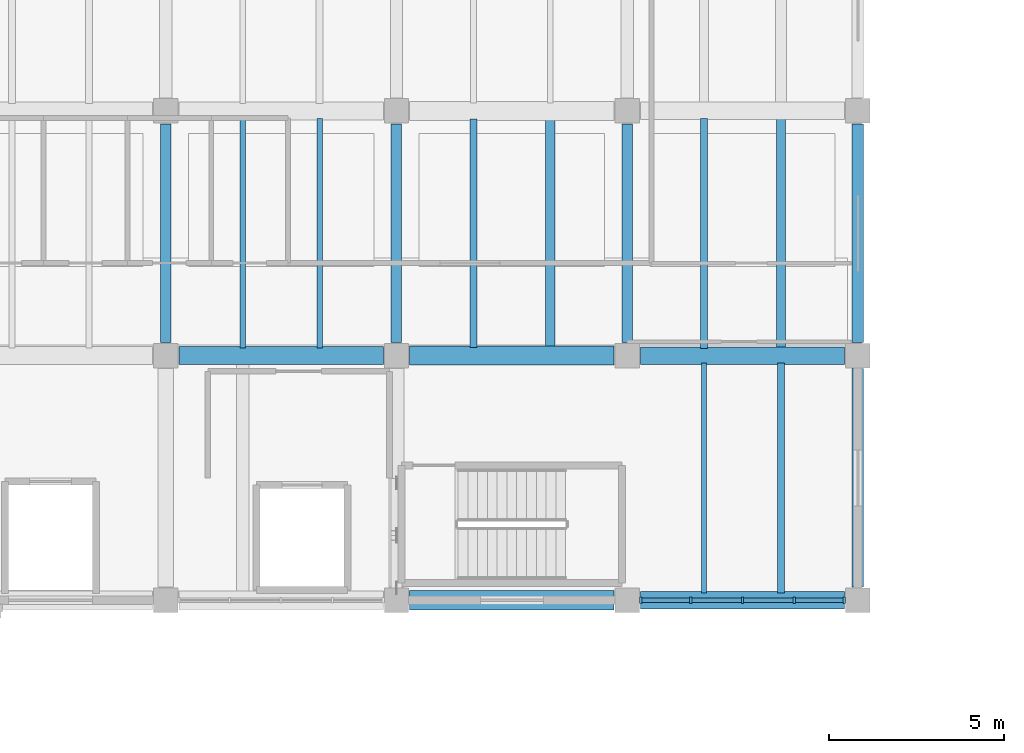
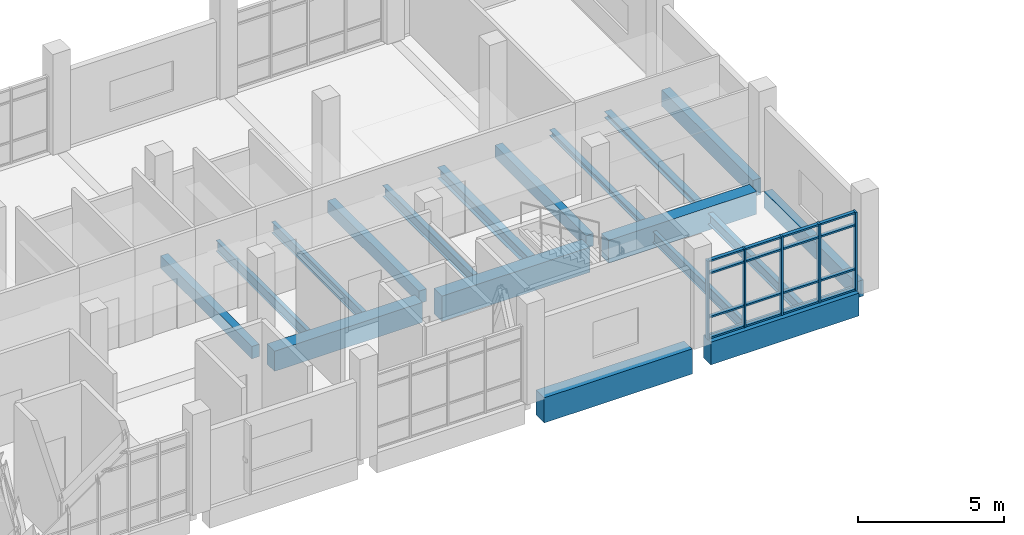
# One storey, part 5 of 20: 21 members, 18 beams, 1 element without a shape of its own.
"""IFC4 building model written with IfcOpenShell, lengths in metres."""

import ifcopenshell
import ifcopenshell.guid

model = None  # the IFC model being written
_history = None  # IfcOwnerHistory: only IFC2X3 demands one
_inside = {}  # id of a spatial element -> (the spatial element, [elements in it])
_under = {}  # id of a project, library or spatial element -> (it, [spatial elements below it])
_declared = {}  # id of a project -> (the project, [libraries it declares])
_typed = {}  # id of a type object -> (the type object, [elements of that type])
_made_of = {}  # id of a material, layer set ... -> (it, [elements and type objects made of it])


def new_model(schema):
    """Start an empty IFC model of exactly this schema.

    Asked for "IFC4X3", IfcOpenShell would pick the latest addendum, in which some entities
    have other attributes; the version numbers below select the first issue.
    IFC2X3 requires an IfcOwnerHistory on every rooted entity: one is made here for all.
    """
    global model, _history
    if schema == "IFC4X3":
        model = ifcopenshell.file(schema_version=(4, 3, 0, 0))
    else:
        model = ifcopenshell.file(schema=schema)
    _inside.clear()
    _under.clear()
    _declared.clear()
    _typed.clear()
    _made_of.clear()
    _history = None
    if model.schema == "IFC2X3":
        org = make("IfcOrganization", Name="unknown")
        user = make(
            "IfcPersonAndOrganization",
            ThePerson=make("IfcPerson", FamilyName="unknown"),
            TheOrganization=org,
        )
        app = make(
            "IfcApplication",
            ApplicationDeveloper=org,
            Version="unknown",
            ApplicationFullName="unknown",
            ApplicationIdentifier="unknown",
        )
        _history = make(
            "IfcOwnerHistory",
            OwningUser=user,
            OwningApplication=app,
            ChangeAction="ADDED",
            CreationDate=0,
        )
    return model


def make(cls, **values):
    """One entity of the class cls with the attributes given. An attribute that is None is left unset."""
    return model.create_entity(
        cls, **{name: value for name, value in values.items() if value is not None}
    )


def rooted(cls, **values):
    """An entity with a GlobalId (a new one), such as an element, a storey or a relation."""
    return make(cls, GlobalId=ifcopenshell.guid.new(), OwnerHistory=_history, **values)


def si_unit(unit_type, name, prefix=None):
    """IfcSIUnit, for example si_unit("LENGTHUNIT", "METRE", prefix="MILLI")."""
    return make("IfcSIUnit", UnitType=unit_type, Prefix=prefix, Name=name)


def assignment(units):
    """IfcUnitAssignment: the units of a project."""
    return None if units is None else make("IfcUnitAssignment", Units=units)


def point(xyz):
    """IfcCartesianPoint."""
    return None if xyz is None else make("IfcCartesianPoint", Coordinates=xyz)


def direction(xyz):
    """IfcDirection."""
    return None if xyz is None else make("IfcDirection", DirectionRatios=xyz)


def frame(location, z_axis=None, x_axis=None):
    """IfcAxis2Placement3D, a coordinate frame: its origin and axes. An axis left out is left unset."""
    return make(
        "IfcAxis2Placement3D",
        Location=point(location),
        Axis=direction(z_axis),
        RefDirection=direction(x_axis),
    )


def frame_2d(location, x_axis=None):
    """IfcAxis2Placement2D, a coordinate frame in the plane: its origin and x axis."""
    return make(
        "IfcAxis2Placement2D", Location=point(location), RefDirection=direction(x_axis)
    )


def origin():
    """The frame at (0, 0, 0) with its axes left unset."""
    return frame((0.0, 0.0, 0.0))


def origin_2d():
    """The frame at (0, 0) in the plane with its x axis left unset."""
    return frame_2d((0.0, 0.0))


def place(relative_to, where):
    """IfcLocalPlacement: puts the frame where relative to a parent placement (None: the world)."""
    return make(
        "IfcLocalPlacement", PlacementRelTo=relative_to, RelativePlacement=where
    )


def context(
    kind, dimensions, precision=None, world=None, true_north=None, identifier=None
):
    """IfcGeometricRepresentationContext, for example the 3D "Model" context."""
    return make(
        "IfcGeometricRepresentationContext",
        ContextIdentifier=identifier,
        ContextType=kind,
        CoordinateSpaceDimension=dimensions,
        Precision=precision,
        WorldCoordinateSystem=world,
        TrueNorth=true_north,
    )


def subcontext(parent, identifier, kind, view, scale=None):
    """IfcGeometricRepresentationSubContext, for example "Body" below "Model"."""
    return make(
        "IfcGeometricRepresentationSubContext",
        ContextIdentifier=identifier,
        ContextType=kind,
        ParentContext=parent,
        TargetScale=scale,
        TargetView=view,
    )


def project(units=None, contexts=None):
    """IfcProject with its units and contexts."""
    return rooted(
        "IfcProject",
        Name="project",
        RepresentationContexts=contexts,
        UnitsInContext=assignment(units),
    )


def spatial(cls, under=None, at=None, **own):
    """A site, building, storey or space (cls), placed at a placement, below another one or the project."""
    s = rooted(cls, ObjectPlacement=at, **own)
    if under is not None:
        _under.setdefault(under.id(), (under, []))[1].append(s)
    return s


def profile(cls, at=None, kind="AREA", **sizes):
    """A parametric profile (cls). Its sizes go by their IFC names, for example OverallWidth=200.0."""
    return make(cls, ProfileType=kind, Position=at, **sizes)


def rectangle(**sizes):
    """IfcRectangleProfileDef."""
    return profile("IfcRectangleProfileDef", **sizes)


def i_section(**sizes):
    """IfcIShapeProfileDef."""
    return profile("IfcIShapeProfileDef", **sizes)


def extrude(swept, where, along, depth):
    """IfcExtrudedAreaSolid: the profile swept, set in the frame where, extruded along a direction by depth."""
    return make(
        "IfcExtrudedAreaSolid",
        SweptArea=swept,
        Position=where,
        ExtrudedDirection=direction(along),
        Depth=depth,
    )


def shape(context_of_items, identifier, shape_type, items):
    """IfcShapeRepresentation: the items that make up one representation, for example the "Body"."""
    return make(
        "IfcShapeRepresentation",
        ContextOfItems=context_of_items,
        RepresentationIdentifier=identifier,
        RepresentationType=shape_type,
        Items=items,
    )


def material(Name=None, Category=None):
    """IfcMaterial."""
    return make("IfcMaterial", Name=Name, Category=Category)


def material_profile(
    of_material, cross_section, Name=None, Category=None, Priority=None
):
    """IfcMaterialProfile: a cross section and its material."""
    return make(
        "IfcMaterialProfile",
        Name=Name,
        Material=of_material,
        Profile=cross_section,
        Priority=Priority,
        Category=Category,
    )


def profile_set(profiles, Name=None, composite=None):
    """IfcMaterialProfileSet."""
    return make(
        "IfcMaterialProfileSet",
        Name=Name,
        MaterialProfiles=profiles,
        CompositeProfile=composite,
    )


def made_of(thing, what):
    """Note that an element or type object is made of a material, layer set ...; save() writes the relation."""
    if what is not None:
        _made_of.setdefault(what.id(), (what, []))[1].append(thing)
    return thing


def type_object(cls, material=None, **own):
    """A type object (cls), such as IfcWallType, which elements share."""
    return made_of(rooted(cls, **own), material)


def element(
    cls,
    number,
    at=None,
    inside=None,
    cuts=None,
    type_object=None,
    material=None,
    context=None,
    identifier="Body",
    shape_type=None,
    held_by="IfcProductDefinitionShape",
    body=None,
    shapes=None,
    **own,
):
    """One element of the class cls, such as IfcWall. Its Tag is "e" and its number.

    at: its placement. inside: the storey or other place that contains it. cuts: it is an
    opening in that element (IfcRelVoidsElement). A single representation is given by context,
    identifier, shape_type and body (its items); several are given by shapes. held_by: the class
    of the entity that holds the representations. save() writes the other relations.
    """
    e = rooted(cls, Tag="e%d" % number, ObjectPlacement=at, **own)
    if body is not None:
        shapes = [shape(context, identifier, shape_type, body)]
    if shapes is not None:
        e.Representation = make(held_by, Representations=shapes)
    if inside is not None:
        _inside.setdefault(inside.id(), (inside, []))[1].append(e)
    if cuts is not None:
        rooted(
            "IfcRelVoidsElement", RelatingBuildingElement=cuts, RelatedOpeningElement=e
        )
    if type_object is not None:
        _typed.setdefault(type_object.id(), (type_object, []))[1].append(e)
    return made_of(e, material)


def aggregate(whole, parts):
    """IfcRelAggregates: a whole, such as a stair, and the parts it consists of."""
    return rooted("IfcRelAggregates", RelatingObject=whole, RelatedObjects=parts)


def save(model, path):
    """Write the relations noted so far, then the file.

    IfcRelAggregates (storeys below a building ...), IfcRelContainedInSpatialStructure (elements
    in a storey), IfcRelDefinesByType, IfcRelAssociatesMaterial and IfcRelDeclares: one each for
    every whole, place, type object, material and project.
    """
    for whole, parts in _under.values():
        aggregate(whole, parts)
    for where, things in _inside.values():
        rooted(
            "IfcRelContainedInSpatialStructure",
            RelatedElements=things,
            RelatingStructure=where,
        )
    for kind, things in _typed.values():
        rooted("IfcRelDefinesByType", RelatedObjects=things, RelatingType=kind)
    for what, things in _made_of.values():
        rooted("IfcRelAssociatesMaterial", RelatedObjects=things, RelatingMaterial=what)
    for by, libraries in _declared.values():
        rooted("IfcRelDeclares", RelatingContext=by, RelatedDefinitions=libraries)
    model.write(path)


model = new_model("IFC4")

# Units and contexts
model_context = context("Model", 3, precision=1e-05, world=origin(), true_north=direction((0.0, 1.0)))
body_context = subcontext(model_context, "Body", "Model", "MODEL_VIEW")
ifc_project = project(units=[si_unit("LENGTHUNIT", "METRE"), si_unit("AREAUNIT", "SQUARE_METRE"), si_unit("VOLUMEUNIT", "CUBIC_METRE"), si_unit("PLANEANGLEUNIT", "RADIAN"), si_unit("MASSUNIT", "GRAM", prefix="KILO")], contexts=[model_context])

# Site, building, storey
site_placement = place(None, origin())
site = spatial("IfcSite", under=ifc_project, at=site_placement, CompositionType="ELEMENT")
building_placement = place(site_placement, origin())
building = spatial("IfcBuilding", under=site, at=building_placement, Name="Ciguamira Faculty of Natural Sciences", CompositionType="ELEMENT")
storey_placement = place(building_placement, frame((0.0, 0.0, 21.0)))
storey = spatial("IfcBuildingStorey", under=building, at=storey_placement, Name="L05", CompositionType="ELEMENT", Elevation=21.0)

# Curtain wall, members
ifc_material_1 = material(Name="Anodized aluminium curtain wall", Category="aluminium")
curtain_wall_type = type_object("IfcCurtainWallType", Name="CurtainWall_CW-05", PredefinedType="USERDEFINED", material=ifc_material_1)
curtain_wall_placement = place(storey_placement, origin())
curtain_wall = element("IfcCurtainWall", 1, at=curtain_wall_placement, inside=storey, type_object=curtain_wall_type, Name="L05 unitised curtain wall 0137", ObjectType="UNITISED CURTAIN WALL", PredefinedType="USERDEFINED")
ifc_material_2 = material(Name="Anodized aluminium mullion", Category="aluminium")
ifc_material_profile_1 = material_profile(ifc_material_2, rectangle(XDim=0.070068359375, YDim=0.179931640625, at=origin_2d()), Name="ALU-MUL-70X180")
ifc_profile_set_1 = profile_set([ifc_material_profile_1], Name="Anodized aluminium mullion")
member_type_1 = type_object("IfcMemberType", Name="CWMullion_CWM-02", PredefinedType="MULLION", material=ifc_profile_set_1)
member_1_placement = place(storey_placement, frame((103.885009765625, 94.0, 0.0), z_axis=(0.0, 0.0, 1.0), x_axis=(1.0, 0.0, 0.0)))
member_1 = element("IfcMember", 2, at=member_1_placement, type_object=member_type_1, Name="CW-05 mullion 1", PredefinedType="MULLION", context=body_context, shape_type="SweptSolid", body=[
    extrude(rectangle(XDim=0.070068359375, YDim=0.179931640625, at=origin_2d()), origin(), (0.0, 0.0, 1.0), 3.284912109375),
])
member_2_placement = place(storey_placement, frame((105.324951171875, 94.0, 0.0), z_axis=(0.0, 0.0, 1.0), x_axis=(1.0, 0.0, 0.0)))
member_2 = element("IfcMember", 3, at=member_2_placement, type_object=member_type_1, Name="CW-05 mullion 2", PredefinedType="MULLION", context=body_context, shape_type="SweptSolid", body=[
    extrude(rectangle(XDim=0.070068359375, YDim=0.179931640625, at=origin_2d()), origin(), (0.0, 0.0, 1.0), 3.284912109375),
])
member_3_placement = place(storey_placement, frame((106.800048828125, 94.0, 0.0), z_axis=(0.0, 0.0, 1.0), x_axis=(1.0, 0.0, 0.0)))
member_3 = element("IfcMember", 4, at=member_3_placement, type_object=member_type_1, Name="CW-05 mullion 3", PredefinedType="MULLION", context=body_context, shape_type="SweptSolid", body=[
    extrude(rectangle(XDim=0.070068359375, YDim=0.179931640625, at=origin_2d()), origin(), (0.0, 0.0, 1.0), 3.284912109375),
])
member_4_placement = place(storey_placement, frame((108.27490234375, 94.0, 0.0), z_axis=(0.0, 0.0, 1.0), x_axis=(1.0, 0.0, 0.0)))
member_4 = element("IfcMember", 5, at=member_4_placement, type_object=member_type_1, Name="CW-05 mullion 4", PredefinedType="MULLION", context=body_context, shape_type="SweptSolid", body=[
    extrude(rectangle(XDim=0.070068359375, YDim=0.179931640625, at=origin_2d()), origin(), (0.0, 0.0, 1.0), 3.284912109375),
])
member_5_placement = place(storey_placement, frame((109.715087890625, 94.0, 0.0), z_axis=(0.0, 0.0, 1.0), x_axis=(1.0, 0.0, 0.0)))
member_5 = element("IfcMember", 6, at=member_5_placement, type_object=member_type_1, Name="CW-05 mullion 5", PredefinedType="MULLION", context=body_context, shape_type="SweptSolid", body=[
    extrude(rectangle(XDim=0.070068359375, YDim=0.179931640625, at=origin_2d()), origin(), (0.0, 0.0, 1.0), 3.284912109375),
])
ifc_material_3 = material(Name="Anodized aluminium transom", Category="aluminium")
ifc_material_profile_2 = material_profile(ifc_material_3, rectangle(XDim=0.070068359375, YDim=0.139892578125, at=origin_2d()), Name="ALU-TRN-70X140")
ifc_profile_set_2 = profile_set([ifc_material_profile_2], Name="Anodized aluminium transom")
member_type_2 = type_object("IfcMemberType", Name="CWTransom_CWT-02", PredefinedType="USERDEFINED", material=ifc_profile_set_2)
member_6_placement = place(storey_placement, frame((103.919921875, 94.0, 0.034912109375), z_axis=(1.0, 0.0, 0.0), x_axis=(0.0, 0.0, 1.0)))
member_6 = element("IfcMember", 7, at=member_6_placement, type_object=member_type_2, Name="CW-05 transom 1.1", ObjectType="TRANSOM", PredefinedType="USERDEFINED", context=body_context, shape_type="SweptSolid", body=[
    extrude(rectangle(XDim=0.070068359375, YDim=0.139892578125, at=origin_2d()), origin(), (0.0, 0.0, 1.0), 1.3701171875),
])
member_7_placement = place(storey_placement, frame((103.919921875, 94.0, 0.89990234375), z_axis=(1.0, 0.0, 0.0), x_axis=(0.0, 0.0, 1.0)))
member_7 = element("IfcMember", 8, at=member_7_placement, type_object=member_type_2, Name="CW-05 transom 1.2", ObjectType="TRANSOM", PredefinedType="USERDEFINED", context=body_context, shape_type="SweptSolid", body=[
    extrude(rectangle(XDim=0.070068359375, YDim=0.139892578125, at=origin_2d()), origin(), (0.0, 0.0, 1.0), 1.3701171875),
])
member_8_placement = place(storey_placement, frame((103.919921875, 94.0, 2.735107421875), z_axis=(1.0, 0.0, 0.0), x_axis=(0.0, 0.0, 1.0)))
member_8 = element("IfcMember", 9, at=member_8_placement, type_object=member_type_2, Name="CW-05 transom 1.3", ObjectType="TRANSOM", PredefinedType="USERDEFINED", context=body_context, shape_type="SweptSolid", body=[
    extrude(rectangle(XDim=0.070068359375, YDim=0.139892578125, at=origin_2d()), origin(), (0.0, 0.0, 1.0), 1.3701171875),
])
member_9_placement = place(storey_placement, frame((103.919921875, 94.0, 3.25), z_axis=(1.0, 0.0, 0.0), x_axis=(0.0, 0.0, 1.0)))
member_9 = element("IfcMember", 10, at=member_9_placement, type_object=member_type_2, Name="CW-05 transom 1.4", ObjectType="TRANSOM", PredefinedType="USERDEFINED", context=body_context, shape_type="SweptSolid", body=[
    extrude(rectangle(XDim=0.070068359375, YDim=0.139892578125, at=origin_2d()), origin(), (0.0, 0.0, 1.0), 1.3701171875),
])
member_10_placement = place(storey_placement, frame((105.360107421875, 94.0, 0.034912109375), z_axis=(1.0, 0.0, 0.0), x_axis=(0.0, 0.0, 1.0)))
member_10 = element("IfcMember", 11, at=member_10_placement, type_object=member_type_2, Name="CW-05 transom 2.1", ObjectType="TRANSOM", PredefinedType="USERDEFINED", context=body_context, shape_type="SweptSolid", body=[
    extrude(rectangle(XDim=0.070068359375, YDim=0.139892578125, at=origin_2d()), origin(), (0.0, 0.0, 1.0), 1.40478515625),
])
member_11_placement = place(storey_placement, frame((105.360107421875, 94.0, 0.89990234375), z_axis=(1.0, 0.0, 0.0), x_axis=(0.0, 0.0, 1.0)))
member_11 = element("IfcMember", 12, at=member_11_placement, type_object=member_type_2, Name="CW-05 transom 2.2", ObjectType="TRANSOM", PredefinedType="USERDEFINED", context=body_context, shape_type="SweptSolid", body=[
    extrude(rectangle(XDim=0.070068359375, YDim=0.139892578125, at=origin_2d()), origin(), (0.0, 0.0, 1.0), 1.40478515625),
])
member_12_placement = place(storey_placement, frame((105.360107421875, 94.0, 2.735107421875), z_axis=(1.0, 0.0, 0.0), x_axis=(0.0, 0.0, 1.0)))
member_12 = element("IfcMember", 13, at=member_12_placement, type_object=member_type_2, Name="CW-05 transom 2.3", ObjectType="TRANSOM", PredefinedType="USERDEFINED", context=body_context, shape_type="SweptSolid", body=[
    extrude(rectangle(XDim=0.070068359375, YDim=0.139892578125, at=origin_2d()), origin(), (0.0, 0.0, 1.0), 1.40478515625),
])
member_13_placement = place(storey_placement, frame((105.360107421875, 94.0, 3.25), z_axis=(1.0, 0.0, 0.0), x_axis=(0.0, 0.0, 1.0)))
member_13 = element("IfcMember", 14, at=member_13_placement, type_object=member_type_2, Name="CW-05 transom 2.4", ObjectType="TRANSOM", PredefinedType="USERDEFINED", context=body_context, shape_type="SweptSolid", body=[
    extrude(rectangle(XDim=0.070068359375, YDim=0.139892578125, at=origin_2d()), origin(), (0.0, 0.0, 1.0), 1.40478515625),
])
member_14_placement = place(storey_placement, frame((106.8349609375, 94.0, 0.034912109375), z_axis=(1.0, 0.0, 0.0), x_axis=(0.0, 0.0, 1.0)))
member_14 = element("IfcMember", 15, at=member_14_placement, type_object=member_type_2, Name="CW-05 transom 3.1", ObjectType="TRANSOM", PredefinedType="USERDEFINED", context=body_context, shape_type="SweptSolid", body=[
    extrude(rectangle(XDim=0.070068359375, YDim=0.139892578125, at=origin_2d()), origin(), (0.0, 0.0, 1.0), 1.405029296875),
])
member_15_placement = place(storey_placement, frame((106.8349609375, 94.0, 0.89990234375), z_axis=(1.0, 0.0, 0.0), x_axis=(0.0, 0.0, 1.0)))
member_15 = element("IfcMember", 16, at=member_15_placement, type_object=member_type_2, Name="CW-05 transom 3.2", ObjectType="TRANSOM", PredefinedType="USERDEFINED", context=body_context, shape_type="SweptSolid", body=[
    extrude(rectangle(XDim=0.070068359375, YDim=0.139892578125, at=origin_2d()), origin(), (0.0, 0.0, 1.0), 1.405029296875),
])
member_16_placement = place(storey_placement, frame((106.8349609375, 94.0, 2.735107421875), z_axis=(1.0, 0.0, 0.0), x_axis=(0.0, 0.0, 1.0)))
member_16 = element("IfcMember", 17, at=member_16_placement, type_object=member_type_2, Name="CW-05 transom 3.3", ObjectType="TRANSOM", PredefinedType="USERDEFINED", context=body_context, shape_type="SweptSolid", body=[
    extrude(rectangle(XDim=0.070068359375, YDim=0.139892578125, at=origin_2d()), origin(), (0.0, 0.0, 1.0), 1.405029296875),
])
member_17_placement = place(storey_placement, frame((106.8349609375, 94.0, 3.25), z_axis=(1.0, 0.0, 0.0), x_axis=(0.0, 0.0, 1.0)))
member_17 = element("IfcMember", 18, at=member_17_placement, type_object=member_type_2, Name="CW-05 transom 3.4", ObjectType="TRANSOM", PredefinedType="USERDEFINED", context=body_context, shape_type="SweptSolid", body=[
    extrude(rectangle(XDim=0.070068359375, YDim=0.139892578125, at=origin_2d()), origin(), (0.0, 0.0, 1.0), 1.405029296875),
])
member_18_placement = place(storey_placement, frame((108.31005859375, 94.0, 0.034912109375), z_axis=(1.0, 0.0, 0.0), x_axis=(0.0, 0.0, 1.0)))
member_18 = element("IfcMember", 19, at=member_18_placement, type_object=member_type_2, Name="CW-05 transom 4.1", ObjectType="TRANSOM", PredefinedType="USERDEFINED", context=body_context, shape_type="SweptSolid", body=[
    extrude(rectangle(XDim=0.070068359375, YDim=0.139892578125, at=origin_2d()), origin(), (0.0, 0.0, 1.0), 1.369873046875),
])
member_19_placement = place(storey_placement, frame((108.31005859375, 94.0, 0.89990234375), z_axis=(1.0, 0.0, 0.0), x_axis=(0.0, 0.0, 1.0)))
member_19 = element("IfcMember", 20, at=member_19_placement, type_object=member_type_2, Name="CW-05 transom 4.2", ObjectType="TRANSOM", PredefinedType="USERDEFINED", context=body_context, shape_type="SweptSolid", body=[
    extrude(rectangle(XDim=0.070068359375, YDim=0.139892578125, at=origin_2d()), origin(), (0.0, 0.0, 1.0), 1.369873046875),
])
member_20_placement = place(storey_placement, frame((108.31005859375, 94.0, 2.735107421875), z_axis=(1.0, 0.0, 0.0), x_axis=(0.0, 0.0, 1.0)))
member_20 = element("IfcMember", 21, at=member_20_placement, type_object=member_type_2, Name="CW-05 transom 4.3", ObjectType="TRANSOM", PredefinedType="USERDEFINED", context=body_context, shape_type="SweptSolid", body=[
    extrude(rectangle(XDim=0.070068359375, YDim=0.139892578125, at=origin_2d()), origin(), (0.0, 0.0, 1.0), 1.369873046875),
])
member_21_placement = place(storey_placement, frame((108.31005859375, 94.0, 3.25), z_axis=(1.0, 0.0, 0.0), x_axis=(0.0, 0.0, 1.0)))
member_21 = element("IfcMember", 22, at=member_21_placement, type_object=member_type_2, Name="CW-05 transom 4.4", ObjectType="TRANSOM", PredefinedType="USERDEFINED", context=body_context, shape_type="SweptSolid", body=[
    extrude(rectangle(XDim=0.070068359375, YDim=0.139892578125, at=origin_2d()), origin(), (0.0, 0.0, 1.0), 1.369873046875),
])
aggregate(curtain_wall, [member_1, member_2, member_3, member_4, member_5, member_6, member_7, member_8, member_9, member_10, member_11, member_12, member_13, member_14, member_15, member_16, member_17, member_18, member_19, member_20, member_21])

# Beams
ifc_material_4 = material(Name="Concrete C40/50", Category="concrete")
ifc_material_profile_3 = material_profile(ifc_material_4, rectangle(XDim=0.550048828125, YDim=1.050048828125, at=origin_2d()), Name="RC-BM-550X1050")
ifc_profile_set_3 = profile_set([ifc_material_profile_3], Name="Concrete C40/50")
beam_type_1 = type_object("IfcBeamType", Name="RCBeam_BG-01_RC-BM-550X1050", PredefinedType="BEAM", material=ifc_profile_set_3)
for number, where, z_axis, x_axis, name in (
    (23, (97.27490234375, 94.0, -0.52490234375), (1.0, 0.0, 0.0), (0.0, 1.0, 0.0), "L05 RC girder EW-1447"),
    (24, (97.27490234375, 101.0, -0.52490234375), (1.0, 0.0, 0.0), (0.0, 1.0, 0.0), "L05 RC girder EW-1455"),
):
    element("IfcBeam", number, at=place(storey_placement, frame(where, z_axis=z_axis, x_axis=x_axis)), inside=storey, type_object=beam_type_1, Name=name, PredefinedType="BEAM", context=body_context, shape_type="SweptSolid", body=[
        extrude(rectangle(XDim=0.550048828125, YDim=1.050048828125, at=origin_2d()), origin(), (0.0, 0.0, 1.0), 5.85009765625),
    ])
ifc_material_profile_4 = material_profile(ifc_material_4, rectangle(XDim=0.5, YDim=0.949951171875, at=origin_2d()), Name="RC-BM-500X950")
ifc_profile_set_4 = profile_set([ifc_material_profile_4], Name="Concrete C40/50")
beam_type_2 = type_object("IfcBeamType", Name="RCBeam_BG-02_RC-BM-500X950", PredefinedType="BEAM", material=ifc_profile_set_4)
for number, where, z_axis, x_axis, name in (
    (25, (103.875, 94.0, -0.47509765625), (1.0, 0.0, 0.0), (0.0, 1.0, 0.0), "L05 RC girder EW-1448"),
    (26, (103.875, 101.0, -0.47509765625), (1.0, 0.0, 0.0), (0.0, 1.0, 0.0), "L05 RC girder EW-1456"),
):
    element("IfcBeam", number, at=place(storey_placement, frame(where, z_axis=z_axis, x_axis=x_axis)), inside=storey, type_object=beam_type_2, Name=name, PredefinedType="BEAM", context=body_context, shape_type="SweptSolid", body=[
        extrude(rectangle(XDim=0.5, YDim=0.949951171875, at=origin_2d()), origin(), (0.0, 0.0, 1.0), 5.85009765625),
    ])
ifc_material_profile_5 = material_profile(ifc_material_4, rectangle(XDim=0.300048828125, YDim=0.52001953125, at=origin_2d()), Name="RC-BM-300X520")
ifc_profile_set_5 = profile_set([ifc_material_profile_5], Name="Concrete C40/50")
beam_type_3 = type_object("IfcBeamType", Name="RCBeam_BG-13_RC-BM-300X520", PredefinedType="BEAM", material=ifc_profile_set_5)
for number, where, z_axis, x_axis, name in (
    (27, (90.300048828125, 101.375, -0.260009765625), (0.0, 1.0, 0.0), (-1.0, 0.0, 0.0), "L05 girder NS-1487"),
    (28, (96.89990234375, 101.375, -0.260009765625), (0.0, 1.0, 0.0), (-1.0, 0.0, 0.0), "L05 girder NS-1489"),
    (29, (103.5, 101.375, -0.260009765625), (0.0, 1.0, 0.0), (-1.0, 0.0, 0.0), "L05 girder NS-1491"),
):
    element("IfcBeam", number, at=place(storey_placement, frame(where, z_axis=z_axis, x_axis=x_axis)), inside=storey, type_object=beam_type_3, Name=name, PredefinedType="BEAM", context=body_context, shape_type="SweptSolid", body=[
        extrude(rectangle(XDim=0.300048828125, YDim=0.52001953125, at=origin_2d()), origin(), (0.0, 0.0, 1.0), 6.25),
    ])
ifc_material_5 = material(Name="Precast concrete C40/50", Category="concrete")
ifc_material_profile_6 = material_profile(ifc_material_5, rectangle(XDim=0.320068359375, YDim=0.679931640625, at=origin_2d()), Name="RC-SP-320X680")
ifc_profile_set_6 = profile_set([ifc_material_profile_6], Name="Precast concrete C40/50")
beam_type_4 = type_object("IfcBeamType", Name="RCBeam_SP-02_RC-SP-320X680", PredefinedType="SPANDREL", material=ifc_profile_set_6)
for number, where, z_axis, x_axis, name in (
    (30, (110.10009765625, 94.375, -0.340087890625), (0.0, 1.0, 0.0), (-1.0, 0.0, 0.0), "L05 girder NS-1493"),
    (31, (110.10009765625, 101.375, -0.340087890625), (0.0, 1.0, 0.0), (-1.0, 0.0, 0.0), "L05 girder NS-1494"),
):
    element("IfcBeam", number, at=place(storey_placement, frame(where, z_axis=z_axis, x_axis=x_axis)), inside=storey, type_object=beam_type_4, Name=name, PredefinedType="SPANDREL", context=body_context, shape_type="SweptSolid", body=[
        extrude(rectangle(XDim=0.320068359375, YDim=0.679931640625, at=origin_2d()), origin(), (0.0, 0.0, 1.0), 6.25),
    ])
ifc_material_profile_7 = material_profile(ifc_material_4, rectangle(XDim=0.52001953125, YDim=0.840087890625, at=origin_2d()), Name="RC-TB-520X840")
ifc_profile_set_7 = profile_set([ifc_material_profile_7], Name="Concrete C40/50")
beam_type_5 = type_object("IfcBeamType", Name="RCBeam_TB-02_RC-TB-520X840", PredefinedType="T_BEAM", material=ifc_profile_set_7)
beam_1_placement = place(storey_placement, frame((90.675048828125, 101.0, -0.419921875), z_axis=(1.0, 0.0, 0.0), x_axis=(0.0, 1.0, 0.0)))
element("IfcBeam", 32, at=beam_1_placement, inside=storey, type_object=beam_type_5, Name="L05 RC girder EW-1454", PredefinedType="T_BEAM", context=body_context, shape_type="SweptSolid", body=[
    extrude(rectangle(XDim=0.52001953125, YDim=0.840087890625, at=origin_2d()), origin(), (0.0, 0.0, 1.0), 5.849853515625),
])
ifc_material_6 = material(Name="Steel ASTM A992 Grade 50", Category="steel")
ifc_material_profile_8 = material_profile(ifc_material_6, i_section(OverallWidth=0.2021484375, OverallDepth=0.2470703125, WebThickness=0.00732421875, FlangeThickness=0.010986328125, at=origin_2d()), Name="W10X33")
ifc_profile_set_8 = profile_set([ifc_material_profile_8], Name="Steel ASTM A992 Grade 50")
beam_type_6 = type_object("IfcBeamType", Name="SteelJoist_SJ-02_W10X33", PredefinedType="JOIST", material=ifc_profile_set_8)
beam_2_placement = place(storey_placement, frame((105.699951171875, 101.2099609375, -0.363525390625), z_axis=(0.0, 1.0, 0.0), x_axis=(-1.0, 0.0, 0.0)))
element("IfcBeam", 33, at=beam_2_placement, inside=storey, type_object=beam_type_6, Name="L05 composite steel joist 01378", PredefinedType="JOIST", context=body_context, shape_type="SweptSolid", body=[
    extrude(i_section(OverallWidth=0.2021484375, OverallDepth=0.2470703125, WebThickness=0.00732421875, FlangeThickness=0.010986328125, at=origin_2d()), origin(), (0.0, 0.0, 1.0), 6.580078125),
])
ifc_material_profile_9 = material_profile(ifc_material_6, i_section(OverallWidth=0.25390625, OverallDepth=0.25390625, WebThickness=0.008544921875, FlangeThickness=0.01416015625, at=origin_2d()), Name="W10X49")
ifc_profile_set_9 = profile_set([ifc_material_profile_9], Name="Steel ASTM A992 Grade 50")
beam_type_7 = type_object("IfcBeamType", Name="SteelJoist_SJ-03_W10X49", PredefinedType="JOIST", material=ifc_profile_set_9)
beam_3_placement = place(storey_placement, frame((107.89990234375, 101.2099609375, -0.366943359375), z_axis=(0.0, 1.0, 0.0), x_axis=(-1.0, 0.0, 0.0)))
element("IfcBeam", 34, at=beam_3_placement, inside=storey, type_object=beam_type_7, Name="L05 composite steel joist 01379", PredefinedType="JOIST", context=body_context, shape_type="SweptSolid", body=[
    extrude(i_section(OverallWidth=0.25390625, OverallDepth=0.25390625, WebThickness=0.008544921875, FlangeThickness=0.01416015625, at=origin_2d()), origin(), (0.0, 0.0, 1.0), 6.580078125),
])
ifc_material_profile_10 = material_profile(ifc_material_6, i_section(OverallWidth=0.15234375, OverallDepth=0.449462890625, WebThickness=0.007568359375, FlangeThickness=0.0107421875, at=origin_2d()), Name="W18X35")
ifc_profile_set_10 = profile_set([ifc_material_profile_10], Name="Steel ASTM A992 Grade 50")
beam_type_8 = type_object("IfcBeamType", Name="SteelJoist_SJ-21_W18X35", PredefinedType="JOIST", material=ifc_profile_set_10)
beam_4_placement = place(storey_placement, frame((92.5, 101.219970703125, -0.46484375), z_axis=(0.0, 1.0, 0.0), x_axis=(-1.0, 0.0, 0.0)))
element("IfcBeam", 35, at=beam_4_placement, inside=storey, type_object=beam_type_8, Name="L05 composite steel joist 01368", PredefinedType="JOIST", context=body_context, shape_type="SweptSolid", body=[
    extrude(i_section(OverallWidth=0.15234375, OverallDepth=0.449462890625, WebThickness=0.007568359375, FlangeThickness=0.0107421875, at=origin_2d()), origin(), (0.0, 0.0, 1.0), 6.56005859375),
])
ifc_material_profile_11 = material_profile(ifc_material_6, i_section(OverallWidth=0.15283203125, OverallDepth=0.45458984375, WebThickness=0.008056640625, FlangeThickness=0.013427734375, at=origin_2d()), Name="W18X40")
ifc_profile_set_11 = profile_set([ifc_material_profile_11], Name="Steel ASTM A992 Grade 50")
beam_type_9 = type_object("IfcBeamType", Name="SteelJoist_SJ-22_W18X40", PredefinedType="JOIST", material=ifc_profile_set_11)
beam_5_placement = place(storey_placement, frame((94.699951171875, 101.219970703125, -0.46728515625), z_axis=(0.0, 1.0, 0.0), x_axis=(-1.0, 0.0, 0.0)))
element("IfcBeam", 36, at=beam_5_placement, inside=storey, type_object=beam_type_9, Name="L05 composite steel joist 01369", PredefinedType="JOIST", context=body_context, shape_type="SweptSolid", body=[
    extrude(i_section(OverallWidth=0.15283203125, OverallDepth=0.45458984375, WebThickness=0.008056640625, FlangeThickness=0.013427734375, at=origin_2d()), origin(), (0.0, 0.0, 1.0), 6.56005859375),
])
beam_6_placement = place(storey_placement, frame((105.699951171875, 94.2099609375, -0.46728515625), z_axis=(0.0, 1.0, 0.0), x_axis=(-1.0, 0.0, 0.0)))
element("IfcBeam", 37, at=beam_6_placement, inside=storey, type_object=beam_type_9, Name="L05 composite steel joist 01376", PredefinedType="JOIST", context=body_context, shape_type="SweptSolid", body=[
    extrude(i_section(OverallWidth=0.15283203125, OverallDepth=0.45458984375, WebThickness=0.008056640625, FlangeThickness=0.013427734375, at=origin_2d()), origin(), (0.0, 0.0, 1.0), 6.580078125),
])
ifc_material_profile_12 = material_profile(ifc_material_6, i_section(OverallWidth=0.1904296875, OverallDepth=0.457275390625, WebThickness=0.009033203125, FlangeThickness=0.014404296875, at=origin_2d()), Name="W18X50")
ifc_profile_set_12 = profile_set([ifc_material_profile_12], Name="Steel ASTM A992 Grade 50")
beam_type_10 = type_object("IfcBeamType", Name="SteelJoist_SJ-23_W18X50", PredefinedType="JOIST", material=ifc_profile_set_12)
beam_7_placement = place(storey_placement, frame((107.89990234375, 94.2099609375, -0.468505859375), z_axis=(0.0, 1.0, 0.0), x_axis=(-1.0, 0.0, 0.0)))
element("IfcBeam", 38, at=beam_7_placement, inside=storey, type_object=beam_type_10, Name="L05 composite steel joist 01377", PredefinedType="JOIST", context=body_context, shape_type="SweptSolid", body=[
    extrude(i_section(OverallWidth=0.1904296875, OverallDepth=0.457275390625, WebThickness=0.009033203125, FlangeThickness=0.014404296875, at=origin_2d()), origin(), (0.0, 0.0, 1.0), 6.580078125),
])
ifc_material_profile_13 = material_profile(ifc_material_6, i_section(OverallWidth=0.19287109375, OverallDepth=0.46728515625, WebThickness=0.011474609375, FlangeThickness=0.01904296875, at=origin_2d()), Name="W18X65")
ifc_profile_set_13 = profile_set([ifc_material_profile_13], Name="Steel ASTM A992 Grade 50")
beam_type_11 = type_object("IfcBeamType", Name="SteelJoist_SJ-24_W18X65", PredefinedType="JOIST", material=ifc_profile_set_13)
beam_8_placement = place(storey_placement, frame((99.10009765625, 101.235107421875, -0.4736328125), z_axis=(0.0, 1.0, 0.0), x_axis=(-1.0, 0.0, 0.0)))
element("IfcBeam", 39, at=beam_8_placement, inside=storey, type_object=beam_type_11, Name="L05 composite steel joist 01372", PredefinedType="JOIST", context=body_context, shape_type="SweptSolid", body=[
    extrude(i_section(OverallWidth=0.19287109375, OverallDepth=0.46728515625, WebThickness=0.011474609375, FlangeThickness=0.01904296875, at=origin_2d()), origin(), (0.0, 0.0, 1.0), 6.52978515625),
])
ifc_material_profile_14 = material_profile(ifc_material_6, i_section(OverallWidth=0.279296875, OverallDepth=0.462158203125, WebThickness=0.0107421875, FlangeThickness=0.017333984375, at=origin_2d()), Name="W18X76")
ifc_profile_set_14 = profile_set([ifc_material_profile_14], Name="Steel ASTM A992 Grade 50")
beam_type_12 = type_object("IfcBeamType", Name="SteelJoist_SJ-25_W18X76", PredefinedType="JOIST", material=ifc_profile_set_14)
beam_9_placement = place(storey_placement, frame((101.300048828125, 101.235107421875, -0.47119140625), z_axis=(0.0, 1.0, 0.0), x_axis=(-1.0, 0.0, 0.0)))
element("IfcBeam", 40, at=beam_9_placement, inside=storey, type_object=beam_type_12, Name="L05 composite steel joist 01373", PredefinedType="JOIST", context=body_context, shape_type="SweptSolid", body=[
    extrude(i_section(OverallWidth=0.279296875, OverallDepth=0.462158203125, WebThickness=0.0107421875, FlangeThickness=0.017333984375, at=origin_2d()), origin(), (0.0, 0.0, 1.0), 6.52978515625),
])

save(model, "model.ifc")
